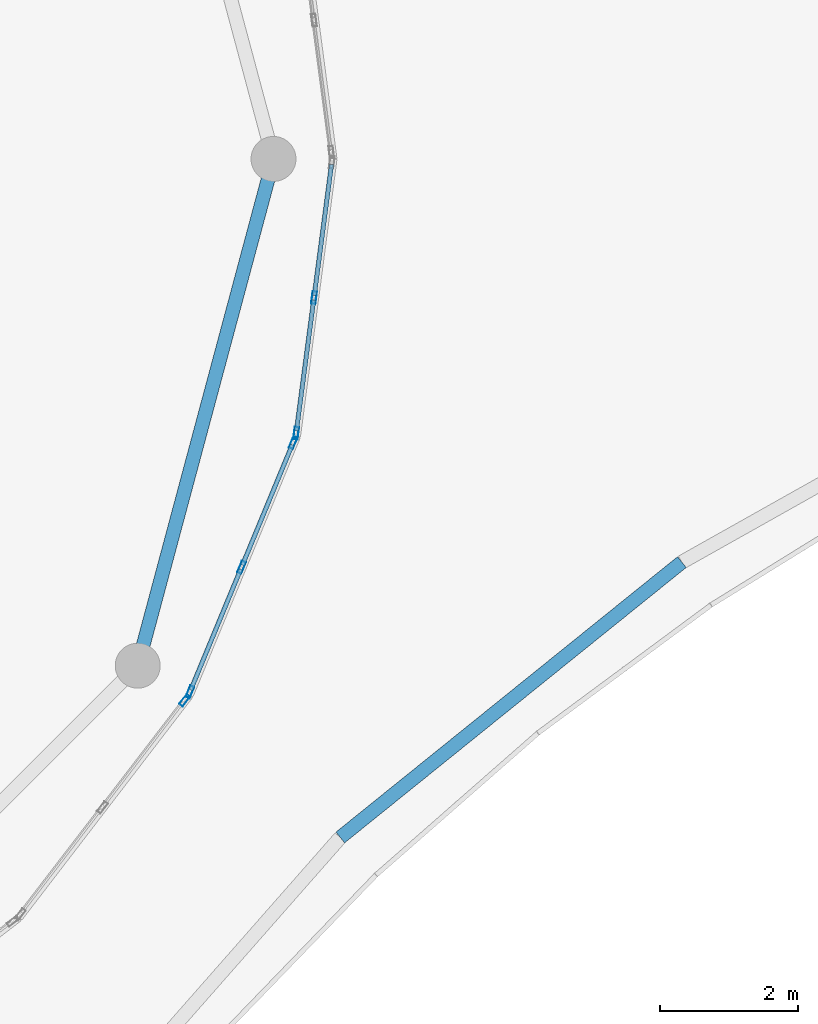
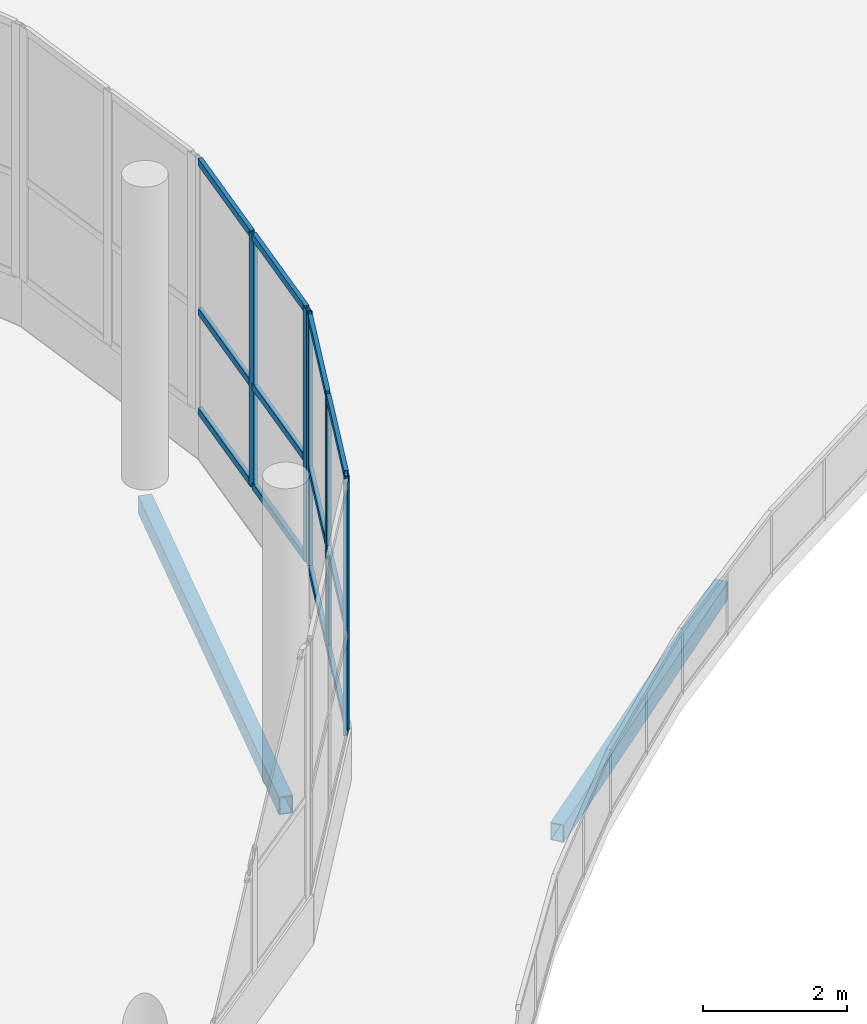
# One storey, part 15 of 101: 18 members, 2 beams, 3 elements without a shape of their own.
"""IFC4 building model written with IfcOpenShell, lengths in metres."""

from ifc_helpers import new_model, si_unit, direction, frame, origin, origin_2d, place, context, subcontext, project, spatial, hollow_rectangle, extrude, material, material_profile, profile_set, type_object, element, aggregate, save


model = new_model("IFC4")

# Units and contexts
model_context = context("Model", 3, precision=1e-05, world=origin(), true_north=direction((0.0, 1.0)))
body_context = subcontext(model_context, "Body", "Model", "MODEL_VIEW")
ifc_project = project(units=[si_unit("LENGTHUNIT", "METRE"), si_unit("AREAUNIT", "SQUARE_METRE"), si_unit("VOLUMEUNIT", "CUBIC_METRE"), si_unit("PLANEANGLEUNIT", "RADIAN"), si_unit("MASSUNIT", "GRAM", prefix="KILO")], contexts=[model_context])

# Site, building, storey
site_placement = place(None, origin())
site = spatial("IfcSite", under=ifc_project, at=site_placement, CompositionType="ELEMENT")
building_placement = place(site_placement, origin())
building = spatial("IfcBuilding", under=site, at=building_placement, Name="Selatvlak General Hospital", CompositionType="ELEMENT")
storey_placement = place(building_placement, frame((0.0, 0.0, 19.199951171875)))
storey = spatial("IfcBuildingStorey", under=building, at=storey_placement, Name="L04", CompositionType="ELEMENT", Elevation=19.199951171875)

# Beams
ifc_material_1 = material(Name="Steel S355", Category="steel")
ifc_material_profile_1 = material_profile(ifc_material_1, hollow_rectangle(XDim=0.199951171875, YDim=0.300048828125, WallThickness=0.011962890625, at=origin_2d()), Name="RHS 300x200x12")
ifc_profile_set_1 = profile_set([ifc_material_profile_1], Name="Steel S355")
beam_type = type_object("IfcBeamType", Name="BM-SP3", PredefinedType="SPANDREL", material=ifc_profile_set_1)
beam_1_placement = place(storey_placement, frame((110.68701171875, 46.675048828125, -0.454833984375), z_axis=(0.25884068345, 0.965920028052, 0.0), x_axis=(-0.965920028052, 0.25884068345, 0.0)))
element("IfcBeam", 1, at=beam_1_placement, inside=storey, type_object=beam_type, Name="Beam BMR-L04-1797", PredefinedType="SPANDREL", context=body_context, shape_type="SweptSolid", body=[
    extrude(hollow_rectangle(XDim=0.199951171875, YDim=0.300048828125, WallThickness=0.011962890625, at=origin_2d()), origin(), (0.0, 0.0, 1.0), 7.58349609375),
])
beam_2_placement = place(storey_placement, frame((113.614990234375, 44.19189453125, -0.43994140625), z_axis=(0.778568955278, 0.627559066444, 0.0), x_axis=(-0.627559066444, 0.778568955278, 0.0)))
element("IfcBeam", 2, at=beam_2_placement, inside=storey, type_object=beam_type, Name="Beam BMR-L04-1847", PredefinedType="SPANDREL", context=body_context, shape_type="SweptSolid", body=[
    extrude(hollow_rectangle(XDim=0.199951171875, YDim=0.300048828125, WallThickness=0.011962890625, at=origin_2d()), origin(), (0.0, 0.0, 1.0), 6.34228515625),
])

# Curtain wall, members
ifc_material_2 = material(Name="Solar-control Low-E double glazing", Category="glass")
curtain_wall_type_1 = type_object("IfcCurtainWallType", Name="CW-CW-04", PredefinedType="USERDEFINED", material=ifc_material_2)
curtain_wall_1_placement = place(storey_placement, origin())
curtain_wall_1 = element("IfcCurtainWall", 3, at=curtain_wall_1_placement, inside=storey, type_object=curtain_wall_type_1, Name="Glazed facade curtain wall CW-L04-0519", ObjectType="STICK GLAZING WALL", PredefinedType="USERDEFINED")
ifc_material_3 = material(Name="Dark anodised aluminium mullion", Category="aluminium")
ifc_material_profile_2 = material_profile(ifc_material_3, hollow_rectangle(XDim=0.06494140625, YDim=0.179931640625, WallThickness=0.00439453125, at=origin_2d()), Name="AL-MUL 65x180x4.5")
ifc_profile_set_2 = profile_set([ifc_material_profile_2], Name="Dark anodised aluminium mullion")
member_type_1 = type_object("IfcMemberType", Name="CWM-02", PredefinedType="MULLION", material=ifc_profile_set_2)
member_1_placement = place(storey_placement, frame((113.236083984375, 51.994384765625, 0.85009765625), z_axis=(0.0, 0.0, 1.0), x_axis=(0.991448360837, -0.130499608402, 0.0)))
member_1 = element("IfcMember", 4, at=member_1_placement, type_object=member_type_1, Name="CW-04 mullion 2", PredefinedType="MULLION", context=body_context, shape_type="SweptSolid", body=[
    extrude(hollow_rectangle(XDim=0.06494140625, YDim=0.179931640625, WallThickness=0.00439453125, at=origin_2d()), origin(), (0.0, 0.0, 1.0), 4.300048828125),
])
member_2_placement = place(storey_placement, frame((112.978271484375, 50.0361328125, 0.85009765625), z_axis=(0.0, 0.0, 1.0), x_axis=(0.991448360837, -0.130499608402, 0.0)))
member_2 = element("IfcMember", 5, at=member_2_placement, type_object=member_type_1, Name="CW-04 mullion 3", PredefinedType="MULLION", context=body_context, shape_type="SweptSolid", body=[
    extrude(hollow_rectangle(XDim=0.06494140625, YDim=0.179931640625, WallThickness=0.00439453125, at=origin_2d()), origin(), (0.0, 0.0, 1.0), 4.300048828125),
])

curtain_wall_type_2 = type_object("IfcCurtainWallType", Name="CW-CW-05", PredefinedType="USERDEFINED", material=ifc_material_2)
curtain_wall_2_placement = place(storey_placement, origin())
curtain_wall_2 = element("IfcCurtainWall", 6, at=curtain_wall_2_placement, inside=storey, type_object=curtain_wall_type_2, Name="Glazed facade curtain wall CW-L04-0520", ObjectType="STICK GLAZING WALL", PredefinedType="USERDEFINED")
member_3_placement = place(storey_placement, frame((112.9345703125, 49.89892578125, 0.85009765625), z_axis=(0.0, 0.0, 1.0), x_axis=(0.92394001164, -0.382537390187, 0.0)))
member_3 = element("IfcMember", 7, at=member_3_placement, type_object=member_type_1, Name="CW-05 mullion 1", PredefinedType="MULLION", context=body_context, shape_type="SweptSolid", body=[
    extrude(hollow_rectangle(XDim=0.06494140625, YDim=0.179931640625, WallThickness=0.00439453125, at=origin_2d()), origin(), (0.0, 0.0, 1.0), 4.300048828125),
])
member_4_placement = place(storey_placement, frame((112.1884765625, 48.096923828125, 0.85009765625), z_axis=(0.0, 0.0, 1.0), x_axis=(0.92394001164, -0.382537390187, 0.0)))
member_4 = element("IfcMember", 8, at=member_4_placement, type_object=member_type_1, Name="CW-05 mullion 2", PredefinedType="MULLION", context=body_context, shape_type="SweptSolid", body=[
    extrude(hollow_rectangle(XDim=0.06494140625, YDim=0.179931640625, WallThickness=0.00439453125, at=origin_2d()), origin(), (0.0, 0.0, 1.0), 4.300048828125),
])
member_5_placement = place(storey_placement, frame((111.4423828125, 46.294921875, 0.85009765625), z_axis=(0.0, 0.0, 1.0), x_axis=(0.92394001164, -0.382537390187, 0.0)))
member_5 = element("IfcMember", 9, at=member_5_placement, type_object=member_type_1, Name="CW-05 mullion 3", PredefinedType="MULLION", context=body_context, shape_type="SweptSolid", body=[
    extrude(hollow_rectangle(XDim=0.06494140625, YDim=0.179931640625, WallThickness=0.00439453125, at=origin_2d()), origin(), (0.0, 0.0, 1.0), 4.300048828125),
])

# Curtain wall, member
curtain_wall_3_placement = place(storey_placement, origin())
curtain_wall_3 = element("IfcCurtainWall", 10, at=curtain_wall_3_placement, inside=storey, type_object=curtain_wall_type_1, Name="Glazed facade curtain wall CW-L04-0521", ObjectType="STICK GLAZING WALL", PredefinedType="USERDEFINED")
member_6_placement = place(storey_placement, frame((111.365234375, 46.17333984375, 0.85009765625), z_axis=(0.0, 0.0, 1.0), x_axis=(0.793232853917, -0.608918417743, 0.0)))
member_6 = element("IfcMember", 11, at=member_6_placement, type_object=member_type_1, Name="CW-04 mullion 1", PredefinedType="MULLION", context=body_context, shape_type="SweptSolid", body=[
    extrude(hollow_rectangle(XDim=0.06494140625, YDim=0.179931640625, WallThickness=0.00439453125, at=origin_2d()), origin(), (0.0, 0.0, 1.0), 4.300048828125),
])
aggregate(curtain_wall_3, [member_6])

# Member
ifc_material_profile_3 = material_profile(ifc_material_3, hollow_rectangle(XDim=0.06494140625, YDim=0.1201171875, WallThickness=0.00390625, at=origin_2d()), Name="AL-TRN 65x120x4")
ifc_profile_set_3 = profile_set([ifc_material_profile_3], Name="Dark anodised aluminium mullion")
member_type_2 = type_object("IfcMemberType", Name="CWT-01", PredefinedType="USERDEFINED", material=ifc_profile_set_3)
member_7_placement = place(storey_placement, frame((113.489501953125, 53.920654296875, 0.882568359375), z_axis=(-0.130480959328, -0.991450815347, 0.0), x_axis=(0.991450815347, -0.130480959328, 0.0)))
member_7 = element("IfcMember", 12, at=member_7_placement, type_object=member_type_2, Name="CW-04 transom 1.1", ObjectType="TRANSOM", PredefinedType="USERDEFINED", context=body_context, shape_type="SweptSolid", body=[
    extrude(hollow_rectangle(XDim=0.06494140625, YDim=0.1201171875, WallThickness=0.00390625, at=origin_2d()), origin(), (0.0, 0.0, 1.0), 1.910400390625),
])

member_8_placement = place(storey_placement, frame((113.489501953125, 53.920654296875, 2.574951171875), z_axis=(-0.130480959328, -0.991450815347, 0.0), x_axis=(0.991450815347, -0.130480959328, 0.0)))
member_8 = element("IfcMember", 13, at=member_8_placement, type_object=member_type_2, Name="CW-04 transom 1.2", ObjectType="TRANSOM", PredefinedType="USERDEFINED", context=body_context, shape_type="SweptSolid", body=[
    extrude(hollow_rectangle(XDim=0.06494140625, YDim=0.1201171875, WallThickness=0.00390625, at=origin_2d()), origin(), (0.0, 0.0, 1.0), 1.910400390625),
])

member_9_placement = place(storey_placement, frame((113.489501953125, 53.920654296875, 5.117431640625), z_axis=(-0.130480959328, -0.991450815347, 0.0), x_axis=(0.991450815347, -0.130480959328, 0.0)))
member_9 = element("IfcMember", 14, at=member_9_placement, type_object=member_type_2, Name="CW-04 transom 1.3", ObjectType="TRANSOM", PredefinedType="USERDEFINED", context=body_context, shape_type="SweptSolid", body=[
    extrude(hollow_rectangle(XDim=0.06494140625, YDim=0.1201171875, WallThickness=0.00390625, at=origin_2d()), origin(), (0.0, 0.0, 1.0), 1.910400390625),
])

member_10_placement = place(storey_placement, frame((113.231689453125, 51.962158203125, 0.882568359375), z_axis=(-0.13049749395, -0.99144863915, 0.0), x_axis=(0.99144863915, -0.13049749395, 0.0)))
member_10 = element("IfcMember", 15, at=member_10_placement, type_object=member_type_2, Name="CW-04 transom 2.1", ObjectType="TRANSOM", PredefinedType="USERDEFINED", context=body_context, shape_type="SweptSolid", body=[
    extrude(hollow_rectangle(XDim=0.06494140625, YDim=0.1201171875, WallThickness=0.00390625, at=origin_2d()), origin(), (0.0, 0.0, 1.0), 1.91015625),
])

member_11_placement = place(storey_placement, frame((113.231689453125, 51.962158203125, 2.574951171875), z_axis=(-0.13049749395, -0.99144863915, 0.0), x_axis=(0.99144863915, -0.13049749395, 0.0)))
member_11 = element("IfcMember", 16, at=member_11_placement, type_object=member_type_2, Name="CW-04 transom 2.2", ObjectType="TRANSOM", PredefinedType="USERDEFINED", context=body_context, shape_type="SweptSolid", body=[
    extrude(hollow_rectangle(XDim=0.06494140625, YDim=0.1201171875, WallThickness=0.00390625, at=origin_2d()), origin(), (0.0, 0.0, 1.0), 1.91015625),
])

member_12_placement = place(storey_placement, frame((113.231689453125, 51.962158203125, 5.117431640625), z_axis=(-0.13049749395, -0.99144863915, 0.0), x_axis=(0.99144863915, -0.13049749395, 0.0)))
member_12 = element("IfcMember", 17, at=member_12_placement, type_object=member_type_2, Name="CW-04 transom 2.3", ObjectType="TRANSOM", PredefinedType="USERDEFINED", context=body_context, shape_type="SweptSolid", body=[
    extrude(hollow_rectangle(XDim=0.06494140625, YDim=0.1201171875, WallThickness=0.00390625, at=origin_2d()), origin(), (0.0, 0.0, 1.0), 1.91015625),
])

aggregate(curtain_wall_1, [member_1, member_2, member_7, member_8, member_9, member_10, member_11, member_12])

member_13_placement = place(storey_placement, frame((112.922119140625, 49.868896484375, 0.882568359375), z_axis=(-0.382527162335, -0.923944246195, 0.0), x_axis=(0.923944246195, -0.382527162335, 0.0)))
member_13 = element("IfcMember", 18, at=member_13_placement, type_object=member_type_2, Name="CW-05 transom 1.1", ObjectType="TRANSOM", PredefinedType="USERDEFINED", context=body_context, shape_type="SweptSolid", body=[
    extrude(hollow_rectangle(XDim=0.06494140625, YDim=0.1201171875, WallThickness=0.00390625, at=origin_2d()), origin(), (0.0, 0.0, 1.0), 1.88525390625),
])

member_14_placement = place(storey_placement, frame((112.922119140625, 49.868896484375, 2.574951171875), z_axis=(-0.382527162335, -0.923944246195, 0.0), x_axis=(0.923944246195, -0.382527162335, 0.0)))
member_14 = element("IfcMember", 19, at=member_14_placement, type_object=member_type_2, Name="CW-05 transom 1.2", ObjectType="TRANSOM", PredefinedType="USERDEFINED", context=body_context, shape_type="SweptSolid", body=[
    extrude(hollow_rectangle(XDim=0.06494140625, YDim=0.1201171875, WallThickness=0.00390625, at=origin_2d()), origin(), (0.0, 0.0, 1.0), 1.88525390625),
])

member_15_placement = place(storey_placement, frame((112.922119140625, 49.868896484375, 5.117431640625), z_axis=(-0.382527162335, -0.923944246195, 0.0), x_axis=(0.923944246195, -0.382527162335, 0.0)))
member_15 = element("IfcMember", 20, at=member_15_placement, type_object=member_type_2, Name="CW-05 transom 1.3", ObjectType="TRANSOM", PredefinedType="USERDEFINED", context=body_context, shape_type="SweptSolid", body=[
    extrude(hollow_rectangle(XDim=0.06494140625, YDim=0.1201171875, WallThickness=0.00390625, at=origin_2d()), origin(), (0.0, 0.0, 1.0), 1.88525390625),
])

member_16_placement = place(storey_placement, frame((112.176025390625, 48.06689453125, 0.882568359375), z_axis=(-0.382527162335, -0.923944246195, 0.0), x_axis=(0.923944246195, -0.382527162335, 0.0)))
member_16 = element("IfcMember", 21, at=member_16_placement, type_object=member_type_2, Name="CW-05 transom 2.1", ObjectType="TRANSOM", PredefinedType="USERDEFINED", context=body_context, shape_type="SweptSolid", body=[
    extrude(hollow_rectangle(XDim=0.06494140625, YDim=0.1201171875, WallThickness=0.00390625, at=origin_2d()), origin(), (0.0, 0.0, 1.0), 1.88525390625),
])

member_17_placement = place(storey_placement, frame((112.176025390625, 48.06689453125, 2.574951171875), z_axis=(-0.382527162335, -0.923944246195, 0.0), x_axis=(0.923944246195, -0.382527162335, 0.0)))
member_17 = element("IfcMember", 22, at=member_17_placement, type_object=member_type_2, Name="CW-05 transom 2.2", ObjectType="TRANSOM", PredefinedType="USERDEFINED", context=body_context, shape_type="SweptSolid", body=[
    extrude(hollow_rectangle(XDim=0.06494140625, YDim=0.1201171875, WallThickness=0.00390625, at=origin_2d()), origin(), (0.0, 0.0, 1.0), 1.88525390625),
])

member_18_placement = place(storey_placement, frame((112.176025390625, 48.06689453125, 5.117431640625), z_axis=(-0.382527162335, -0.923944246195, 0.0), x_axis=(0.923944246195, -0.382527162335, 0.0)))
member_18 = element("IfcMember", 23, at=member_18_placement, type_object=member_type_2, Name="CW-05 transom 2.3", ObjectType="TRANSOM", PredefinedType="USERDEFINED", context=body_context, shape_type="SweptSolid", body=[
    extrude(hollow_rectangle(XDim=0.06494140625, YDim=0.1201171875, WallThickness=0.00390625, at=origin_2d()), origin(), (0.0, 0.0, 1.0), 1.88525390625),
])

aggregate(curtain_wall_2, [member_3, member_4, member_5, member_13, member_14, member_15, member_16, member_17, member_18])

save(model, "model.ifc")
